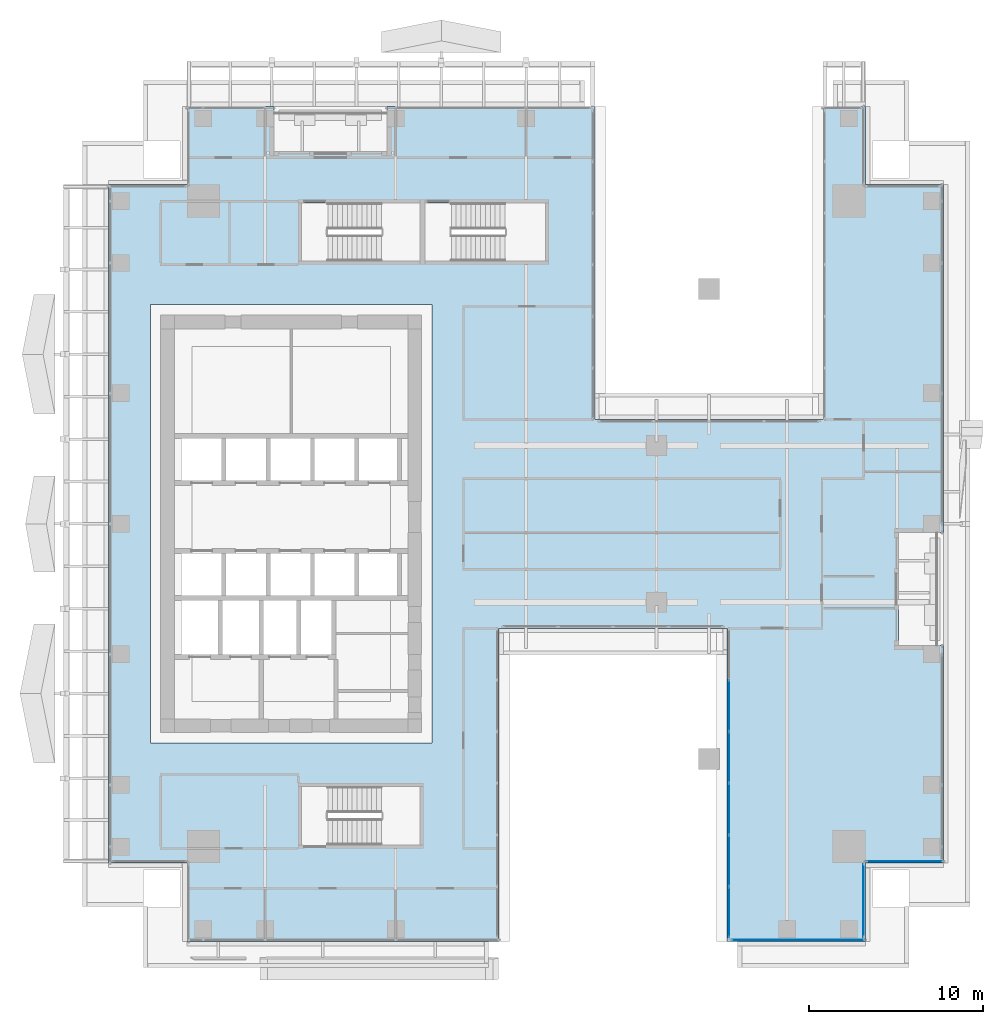
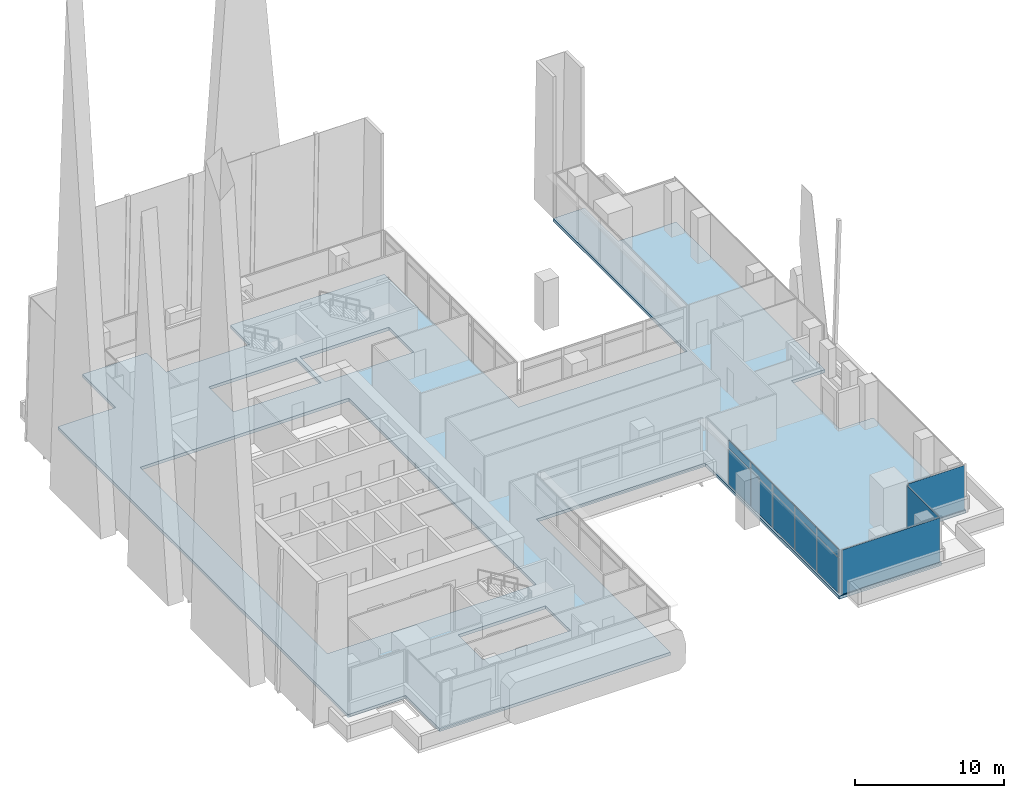
# One storey, part 29 of 43: 13 plates, 1 slab, 4 elements without a shape of their own.
"""IFC4 building model written with IfcOpenShell, lengths in metres."""

from ifc_helpers import new_model, si_unit, direction, frame, origin, origin_2d, place, context, subcontext, project, spatial, polyline, rectangle, outline, extrude, source, transform, mapped, material, layer, layer_set, type_object, element, aggregate, save


model = new_model("IFC4")

# Units and contexts
model_context = context("Model", 3, precision=1e-05, world=origin(), true_north=direction((0.0, 1.0)))
body_context = subcontext(model_context, "Body", "Model", "MODEL_VIEW")
ifc_project = project(units=[si_unit("LENGTHUNIT", "METRE"), si_unit("AREAUNIT", "SQUARE_METRE"), si_unit("VOLUMEUNIT", "CUBIC_METRE"), si_unit("PLANEANGLEUNIT", "RADIAN"), si_unit("MASSUNIT", "GRAM", prefix="KILO")], contexts=[model_context])

# Site, building, storey
site_placement = place(None, origin())
site = spatial("IfcSite", under=ifc_project, at=site_placement, CompositionType="ELEMENT")
building_placement = place(site_placement, origin())
building = spatial("IfcBuilding", under=site, at=building_placement, Name="Khomas Fold Tower", CompositionType="ELEMENT")
storey_placement = place(building_placement, frame((0.0, 0.0, 164.699951171875)))
storey = spatial("IfcBuildingStorey", under=building, at=storey_placement, Name="L35", CompositionType="ELEMENT", Elevation=164.699951171875)

# Slab
ifc_material_1 = material(Name="Concrete C40/50", Category="concrete")
ifc_layer_1 = layer(ifc_material_1, 0.25)
ifc_layer_set_1 = layer_set([ifc_layer_1], Name="Concrete C40/50")
slab_type = type_object("IfcSlabType", Name="RC floor slab 250", PredefinedType="FLOOR", material=ifc_layer_set_1)
shared_shape_1 = source(origin(), body_context, "Body", "SweptSolid", [
    extrude(outline(polyline([(3.0, 7.5), (7.5, 7.5), (7.5, 3.0), (25.449951171875, 3.0), (25.449951171875, 21.0), (38.550048828125, 21.0), (38.550048828125, 3.0), (46.5, 3.0), (46.5, 7.5), (51.0, 7.5), (51.0, 20.0), (48.39990234375, 20.0), (48.39990234375, 26.5), (51.0, 26.5), (51.0, 46.5), (46.5, 46.5), (46.5, 51.0), (44.050048828125, 51.0), (44.050048828125, 33.0), (30.949951171875, 33.0), (30.949951171875, 51.0), (19.0, 51.0), (19.0, 48.39990234375), (12.5, 48.39990234375), (12.5, 51.0), (7.5, 51.0), (7.5, 46.5), (3.0, 46.5), (3.0, 7.5)]), holes=[polyline([(5.39990234375, 14.39990234375), (5.39990234375, 39.60009765625), (21.60009765625, 39.60009765625), (21.60009765625, 14.39990234375), (5.39990234375, 14.39990234375)]), polyline([(14.10009765625, 8.550048828125), (14.10009765625, 11.89990234375), (20.89990234375, 11.89990234375), (20.89990234375, 8.550048828125), (14.10009765625, 8.550048828125)]), polyline([(14.10009765625, 42.10009765625), (14.10009765625, 45.449951171875), (20.89990234375, 45.449951171875), (20.89990234375, 42.10009765625), (14.10009765625, 42.10009765625)]), polyline([(21.199951171875, 42.10009765625), (21.199951171875, 45.449951171875), (28.10009765625, 45.449951171875), (28.10009765625, 42.10009765625), (21.199951171875, 42.10009765625)])]), origin(), (0.0, 0.0, 1.0), 0.25),
])
slab_placement = place(storey_placement, frame((0.0, 0.0, -0.25)))
element("IfcSlab", 1, at=slab_placement, inside=storey, type_object=slab_type, Name="S-L35", PredefinedType="FLOOR", context=body_context, shape_type="MappedRepresentation", body=[
    mapped(shared_shape_1, transform((0.0, 0.0, 0.0))),
])

# Curtain wall, plate
ifc_material_2 = material(Name="Aluminium framed double glazing", Category="aluminium")
curtain_wall_type_1 = type_object("IfcCurtainWallType", Name="SK-Unitised clear-glass wall, office floors CW2", PredefinedType="NOTDEFINED", material=ifc_material_2)
curtain_wall_1_placement = place(storey_placement, origin())
curtain_wall_1 = element("IfcCurtainWall", 2, at=curtain_wall_1_placement, inside=storey, type_object=curtain_wall_type_1, Name="CW2 corner return L35 07", PredefinedType="NOTDEFINED")
ifc_material_3 = material(Name="Clear double glazed unit")
ifc_layer_2 = layer(ifc_material_3, 0.030029296875)
ifc_layer_set_2 = layer_set([ifc_layer_2], Name="Clear double glazed unit")
plate_type_1 = type_object("IfcPlateType", Name="SK-Unitised clear-glass wall, office floors glass panel CW2-P", PredefinedType="CURTAIN_PANEL", material=ifc_layer_set_2)
shared_shape_2 = source(origin(), body_context, "Body", "SweptSolid", [
    extrude(rectangle(XDim=4.3798828125, YDim=0.030029296875, at=origin_2d()), origin(), (0.0, 0.0, 1.0), 3.639892578125),
])
plate_1_placement = place(storey_placement, frame((48.75, 7.60009765625, 0.0), z_axis=(0.0, 0.0, 1.0), x_axis=(1.0, 0.0, 0.0)))
plate_1 = element("IfcPlate", 3, at=plate_1_placement, type_object=plate_type_1, Name="CW2 glass panel 1", PredefinedType="CURTAIN_PANEL", context=body_context, shape_type="MappedRepresentation", body=[
    mapped(shared_shape_2, transform((0.0, 0.0, 0.0))),
])
aggregate(curtain_wall_1, [plate_1])

curtain_wall_2_placement = place(storey_placement, origin())
curtain_wall_2 = element("IfcCurtainWall", 4, at=curtain_wall_2_placement, inside=storey, type_object=curtain_wall_type_1, Name="CW2 run L35 05-0", PredefinedType="NOTDEFINED")
shared_shape_3 = source(origin(), body_context, "Body", "SweptSolid", [
    extrude(rectangle(XDim=7.6298828125, YDim=0.030029296875, at=origin_2d()), origin(), (0.0, 0.0, 1.0), 3.639892578125),
])
plate_2_placement = place(storey_placement, frame((42.625, 3.10009765625, 0.0), z_axis=(0.0, 0.0, 1.0), x_axis=(1.0, 0.0, 0.0)))
plate_2 = element("IfcPlate", 5, at=plate_2_placement, type_object=plate_type_1, Name="CW2 glass panel 1", PredefinedType="CURTAIN_PANEL", context=body_context, shape_type="MappedRepresentation", body=[
    mapped(shared_shape_3, transform((0.0, 0.0, 0.0))),
])
aggregate(curtain_wall_2, [plate_2])

curtain_wall_3_placement = place(storey_placement, origin())
curtain_wall_3 = element("IfcCurtainWall", 6, at=curtain_wall_3_placement, inside=storey, type_object=curtain_wall_type_1, Name="CW2 corner return L35 06", PredefinedType="NOTDEFINED")
shared_shape_4 = source(origin(), body_context, "Body", "SweptSolid", [
    extrude(rectangle(XDim=4.179931640625, YDim=0.030029296875, at=origin_2d()), origin(), (0.0, 0.0, 1.0), 3.639892578125),
])
plate_3_placement = place(storey_placement, frame((46.39990234375, 5.35009765625, 0.0), z_axis=(0.0, 0.0, 1.0), x_axis=(0.0, 1.0, 0.0)))
plate_3 = element("IfcPlate", 7, at=plate_3_placement, type_object=plate_type_1, Name="CW2 glass panel 1", PredefinedType="CURTAIN_PANEL", context=body_context, shape_type="MappedRepresentation", body=[
    mapped(shared_shape_4, transform((0.0, 0.0, 0.0))),
])
aggregate(curtain_wall_3, [plate_3])

# Curtain wall, plates
ifc_material_4 = material(Name="Aluminium framed double glazing", Category="aluminium")
curtain_wall_type_2 = type_object("IfcCurtainWallType", Name="Notch glazing GN-CW", PredefinedType="NOTDEFINED", material=ifc_material_4)
curtain_wall_4_placement = place(storey_placement, origin())
curtain_wall_4 = element("IfcCurtainWall", 8, at=curtain_wall_4_placement, inside=storey, type_object=curtain_wall_type_2, Name="Notch glazing run", PredefinedType="NOTDEFINED")
ifc_material_5 = material(Name="Double glazed unit")
ifc_layer_3 = layer(ifc_material_5, 0.031982421875)
ifc_layer_set_3 = layer_set([ifc_layer_3], Name="Double glazed unit")
plate_type_2 = type_object("IfcPlateType", Name="Notch glazing panel GN-CW-P", PredefinedType="CURTAIN_PANEL", material=ifc_layer_set_3)
shared_shape_5 = source(origin(), body_context, "Body", "SweptSolid", [
    extrude(rectangle(XDim=2.876708984375, YDim=0.031982421875, at=origin_2d()), origin(), (0.0, 0.0, 1.0), 2.909912109375),
])
plate_4_placement = place(storey_placement, frame((38.64990234375, 4.6982421875, 0.06005859375), z_axis=(0.0, 0.0, 1.0), x_axis=(0.0, -1.0, 0.0)))
plate_4 = element("IfcPlate", 9, at=plate_4_placement, type_object=plate_type_2, Name="GN-CW panel 6.1", PredefinedType="CURTAIN_PANEL", context=body_context, shape_type="MappedRepresentation", body=[
    mapped(shared_shape_5, transform((0.0, 0.0, 0.0))),
])
shared_shape_6 = source(origin(), body_context, "Body", "SweptSolid", [
    extrude(rectangle(XDim=2.90673828125, YDim=0.031982421875, at=origin_2d()), origin(), (0.0, 0.0, 1.0), 2.909912109375),
])
plate_5_placement = place(storey_placement, frame((38.64990234375, 16.550048828125, 0.06005859375), z_axis=(0.0, 0.0, 1.0), x_axis=(0.0, -1.0, 0.0)))
plate_5 = element("IfcPlate", 10, at=plate_5_placement, type_object=plate_type_2, Name="GN-CW panel 2.1", PredefinedType="CURTAIN_PANEL", context=body_context, shape_type="MappedRepresentation", body=[
    mapped(shared_shape_6, transform((0.0, 0.0, 0.0))),
])
plate_6_placement = place(storey_placement, frame((38.64990234375, 13.583251953125, 0.06005859375), z_axis=(0.0, 0.0, 1.0), x_axis=(0.0, -1.0, 0.0)))
plate_6 = element("IfcPlate", 11, at=plate_6_placement, type_object=plate_type_2, Name="GN-CW panel 3.1", PredefinedType="CURTAIN_PANEL", context=body_context, shape_type="MappedRepresentation", body=[
    mapped(shared_shape_6, transform((0.0, 0.0, 0.0))),
])
plate_7_placement = place(storey_placement, frame((38.64990234375, 10.61669921875, 0.06005859375), z_axis=(0.0, 0.0, 1.0), x_axis=(0.0, -1.0, 0.0)))
plate_7 = element("IfcPlate", 12, at=plate_7_placement, type_object=plate_type_2, Name="GN-CW panel 4.1", PredefinedType="CURTAIN_PANEL", context=body_context, shape_type="MappedRepresentation", body=[
    mapped(shared_shape_6, transform((0.0, 0.0, 0.0))),
])
plate_8_placement = place(storey_placement, frame((38.64990234375, 7.64990234375, 0.06005859375), z_axis=(0.0, 0.0, 1.0), x_axis=(0.0, -1.0, 0.0)))
plate_8 = element("IfcPlate", 13, at=plate_8_placement, type_object=plate_type_2, Name="GN-CW panel 5.1", PredefinedType="CURTAIN_PANEL", context=body_context, shape_type="MappedRepresentation", body=[
    mapped(shared_shape_6, transform((0.0, 0.0, 0.0))),
])
shared_shape_7 = source(origin(), body_context, "Body", "SweptSolid", [
    extrude(rectangle(XDim=2.876708984375, YDim=0.031982421875, at=origin_2d()), origin(), (0.0, 0.0, 1.0), 0.659912109375),
])
plate_9_placement = place(storey_placement, frame((38.64990234375, 4.6982421875, 3.0302734375), z_axis=(0.0, 0.0, 1.0), x_axis=(0.0, -1.0, 0.0)))
plate_9 = element("IfcPlate", 14, at=plate_9_placement, type_object=plate_type_2, Name="GN-CW panel 6.2", PredefinedType="CURTAIN_PANEL", context=body_context, shape_type="MappedRepresentation", body=[
    mapped(shared_shape_7, transform((0.0, 0.0, 0.0))),
])
shared_shape_8 = source(origin(), body_context, "Body", "SweptSolid", [
    extrude(rectangle(XDim=2.90673828125, YDim=0.031982421875, at=origin_2d()), origin(), (0.0, 0.0, 1.0), 0.659912109375),
])
plate_10_placement = place(storey_placement, frame((38.64990234375, 16.550048828125, 3.0302734375), z_axis=(0.0, 0.0, 1.0), x_axis=(0.0, -1.0, 0.0)))
plate_10 = element("IfcPlate", 15, at=plate_10_placement, type_object=plate_type_2, Name="GN-CW panel 2.2", PredefinedType="CURTAIN_PANEL", context=body_context, shape_type="MappedRepresentation", body=[
    mapped(shared_shape_8, transform((0.0, 0.0, 0.0))),
])
plate_11_placement = place(storey_placement, frame((38.64990234375, 13.583251953125, 3.0302734375), z_axis=(0.0, 0.0, 1.0), x_axis=(0.0, -1.0, 0.0)))
plate_11 = element("IfcPlate", 16, at=plate_11_placement, type_object=plate_type_2, Name="GN-CW panel 3.2", PredefinedType="CURTAIN_PANEL", context=body_context, shape_type="MappedRepresentation", body=[
    mapped(shared_shape_8, transform((0.0, 0.0, 0.0))),
])
plate_12_placement = place(storey_placement, frame((38.64990234375, 10.61669921875, 3.0302734375), z_axis=(0.0, 0.0, 1.0), x_axis=(0.0, -1.0, 0.0)))
plate_12 = element("IfcPlate", 17, at=plate_12_placement, type_object=plate_type_2, Name="GN-CW panel 4.2", PredefinedType="CURTAIN_PANEL", context=body_context, shape_type="MappedRepresentation", body=[
    mapped(shared_shape_8, transform((0.0, 0.0, 0.0))),
])
plate_13_placement = place(storey_placement, frame((38.64990234375, 7.64990234375, 3.0302734375), z_axis=(0.0, 0.0, 1.0), x_axis=(0.0, -1.0, 0.0)))
plate_13 = element("IfcPlate", 18, at=plate_13_placement, type_object=plate_type_2, Name="GN-CW panel 5.2", PredefinedType="CURTAIN_PANEL", context=body_context, shape_type="MappedRepresentation", body=[
    mapped(shared_shape_8, transform((0.0, 0.0, 0.0))),
])
aggregate(curtain_wall_4, [plate_5, plate_10, plate_6, plate_11, plate_7, plate_12, plate_8, plate_13, plate_4, plate_9])

save(model, "model.ifc")
